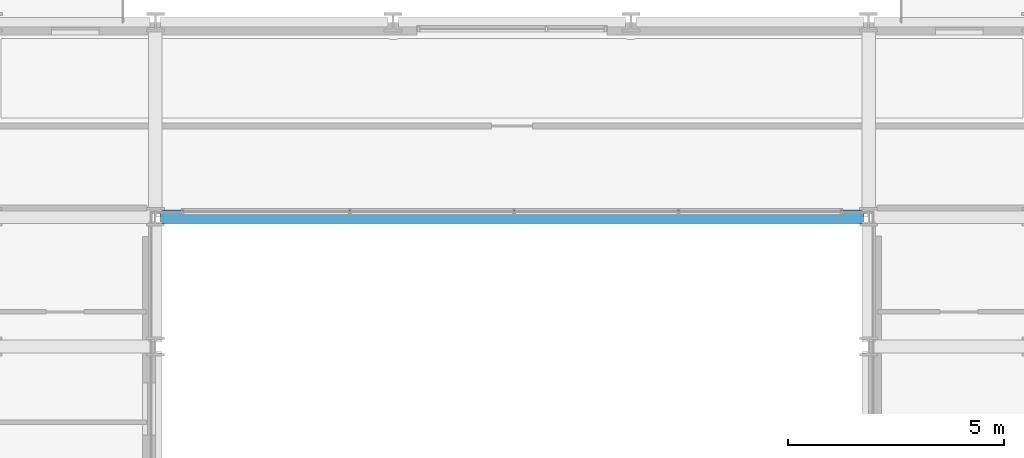
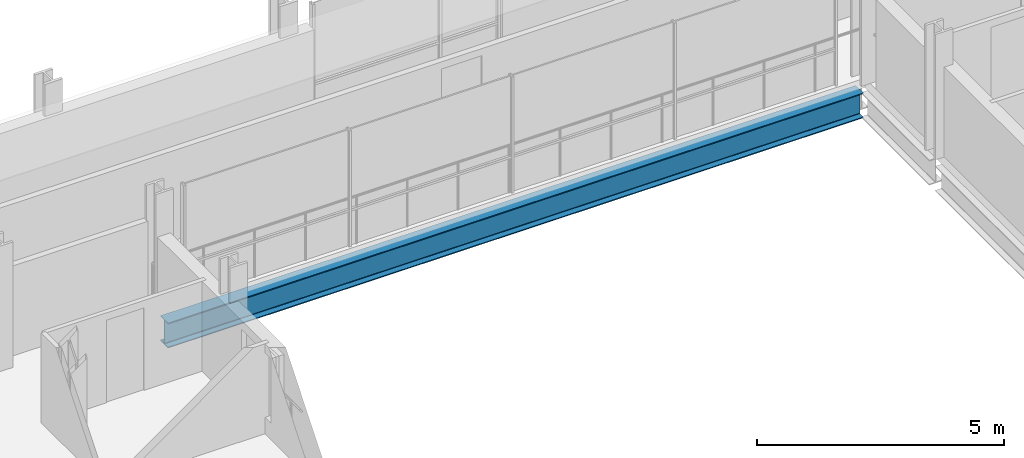
# One storey, part 10 of 40: 1 beam.
"""IFC4 building model written with IfcOpenShell, lengths in metres."""

from ifc_helpers import new_model, si_unit, direction, frame, origin, origin_2d, place, context, subcontext, project, spatial, i_section, extrude, material, material_profile, profile_set, type_object, element, save


model = new_model("IFC4")

# Units and contexts
model_context = context("Model", 3, precision=1e-05, world=origin(), true_north=direction((0.0, 1.0)))
body_context = subcontext(model_context, "Body", "Model", "MODEL_VIEW")
ifc_project = project(units=[si_unit("LENGTHUNIT", "METRE"), si_unit("AREAUNIT", "SQUARE_METRE"), si_unit("VOLUMEUNIT", "CUBIC_METRE"), si_unit("PLANEANGLEUNIT", "RADIAN"), si_unit("MASSUNIT", "GRAM", prefix="KILO")], contexts=[model_context])

# Site, building, storey
site_placement = place(None, origin())
site = spatial("IfcSite", under=ifc_project, at=site_placement, CompositionType="ELEMENT")
building_placement = place(site_placement, origin())
building = spatial("IfcBuilding", under=site, at=building_placement, Name="Brevholm Reach", CompositionType="ELEMENT")
storey_placement = place(building_placement, frame((0.0, 0.0, 80.699951171875)))
storey = spatial("IfcBuildingStorey", under=building, at=storey_placement, Name="L23", CompositionType="ELEMENT", Elevation=80.699951171875)

# Beam
ifc_material = material(Name="Structural Steel S355J2", Category="steel")
ifc_material_profile = material_profile(ifc_material, i_section(OverallWidth=0.30712890625, OverallDepth=0.6201171875, WebThickness=0.01416015625, FlangeThickness=0.023681640625, FilletRadius=0.0166015625, at=origin_2d()), Name="UKB 610x305x179")
ifc_profile_set = profile_set([ifc_material_profile], Name="Structural Steel S355J2")
beam_type = type_object("IfcBeamType", Name="BM-UKB610H", PredefinedType="USERDEFINED", material=ifc_profile_set)
beam_placement = place(storey_placement, frame((21.8701171875, 26.5, -0.5400390625), z_axis=(1.0, 0.0, 0.0), x_axis=(0.0, 1.0, 0.0)))
element("IfcBeam", 1, at=beam_placement, inside=storey, type_object=beam_type, Name="L23 G-06 Framing Beam", ObjectType="GIRDER", PredefinedType="USERDEFINED", context=body_context, shape_type="SweptSolid", body=[
    extrude(i_section(OverallWidth=0.30712890625, OverallDepth=0.6201171875, WebThickness=0.01416015625, FlangeThickness=0.023681640625, FilletRadius=0.0166015625, at=origin_2d()), origin(), (0.0, 0.0, 1.0), 16.259765625),
])

save(model, "model.ifc")
